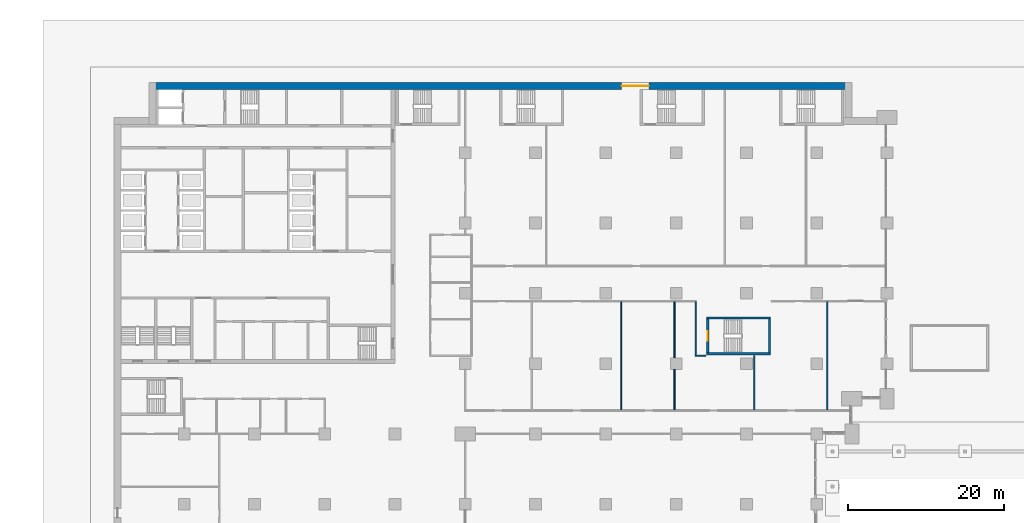
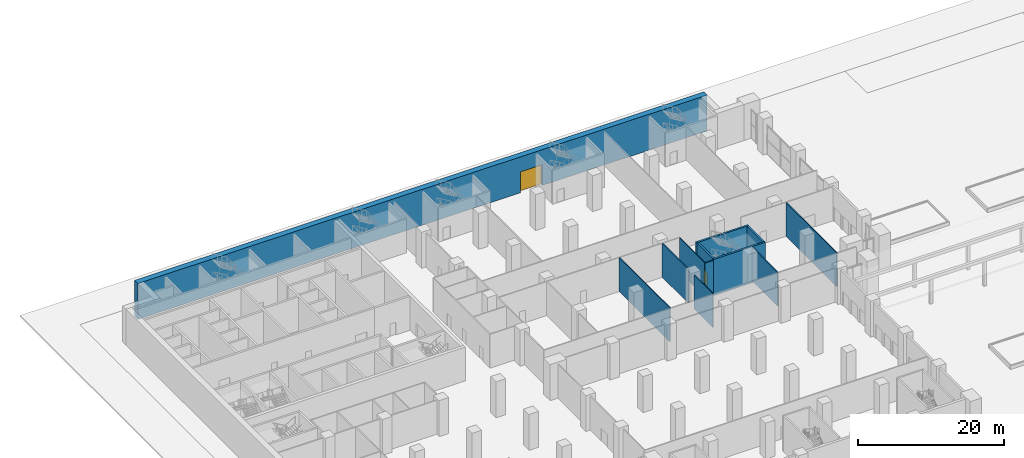
# One storey, part 21 of 47: 12 walls, 2 doors, 2 openings.
"""IFC4 building model written with IfcOpenShell, lengths in metres."""

from ifc_helpers import new_model, si_unit, direction, frame, frame_2d, origin, place, context, subcontext, project, spatial, rectangle, extrude, material, layer, layer_set, type_object, element, fill, save


model = new_model("IFC4")

# Units and contexts
model_context = context("Model", 3, precision=1e-05, world=origin(), true_north=direction((0.0, 1.0)))
body_context = subcontext(model_context, "Body", "Model", "MODEL_VIEW")
ifc_project = project(units=[si_unit("LENGTHUNIT", "METRE"), si_unit("AREAUNIT", "SQUARE_METRE"), si_unit("VOLUMEUNIT", "CUBIC_METRE"), si_unit("PLANEANGLEUNIT", "RADIAN"), si_unit("MASSUNIT", "GRAM", prefix="KILO")], contexts=[model_context])

# Site, building, storey
site_placement = place(None, origin())
site = spatial("IfcSite", under=ifc_project, at=site_placement, CompositionType="ELEMENT")
building_placement = place(site_placement, origin())
building = spatial("IfcBuilding", under=site, at=building_placement, Name="Hunhe Ridgeline Campus", CompositionType="ELEMENT")
storey_placement = place(building_placement, origin())
storey = spatial("IfcBuildingStorey", under=building, at=storey_placement, Name="L00", CompositionType="ELEMENT", Elevation=0.0)

# Walls
ifc_material_1 = material(Name="Plastered blockwork", Category="masonry")
ifc_layer_1 = layer(ifc_material_1, 0.14990234375)
ifc_layer_set_1 = layer_set([ifc_layer_1], Name="Blockwork partition 150")
wall_type_1 = type_object("IfcWallType", Name="Blockwork partition 150", PredefinedType="PARTITIONING", material=ifc_layer_set_1)
wall_1_placement = place(storey_placement, frame((74.425048828125, 64.0, 0.0), z_axis=(0.0, 0.0, 1.0), x_axis=(1.0, 0.0, 0.0)))
element("IfcWall", 1, at=wall_1_placement, inside=storey, type_object=wall_type_1, Name="L00 partition", PredefinedType="PARTITIONING", context=body_context, shape_type="SweptSolid", body=[
    extrude(rectangle(XDim=1.375, YDim=0.14990234375, at=frame_2d((0.6875, 0.0))), origin(), (0.0, 0.0, 1.0), 5.64990234375),
])
wall_2_placement = place(storey_placement, frame((64.98388671875, 57.074951171875, 0.0), z_axis=(0.0, 0.0, 1.0), x_axis=(0.0, 1.0, 0.0)))
element("IfcWall", 2, at=wall_2_placement, inside=storey, type_object=wall_type_1, Name="L00 partition", PredefinedType="PARTITIONING", context=body_context, shape_type="SweptSolid", body=[
    extrude(rectangle(XDim=13.85009765625, YDim=0.14990234375, at=frame_2d((6.925048828125, 0.0))), origin(), (0.0, 0.0, 1.0), 5.64990234375),
])
wall_3_placement = place(storey_placement, frame((71.787109375, 57.074951171875, 0.0), z_axis=(0.0, 0.0, 1.0), x_axis=(0.0, 1.0, 0.0)))
element("IfcWall", 3, at=wall_3_placement, inside=storey, type_object=wall_type_1, Name="L00 partition", PredefinedType="PARTITIONING", context=body_context, shape_type="SweptSolid", body=[
    extrude(rectangle(XDim=5.175048828125, YDim=0.14990234375, at=frame_2d((2.58740234375, 0.0))), origin(), (0.0, 0.0, 1.0), 5.64990234375),
])
wall_4_placement = place(storey_placement, frame((71.787109375, 63.75, 0.0), z_axis=(0.0, 0.0, 1.0), x_axis=(0.0, 1.0, 0.0)))
element("IfcWall", 4, at=wall_4_placement, inside=storey, type_object=wall_type_1, Name="L00 partition", PredefinedType="PARTITIONING", context=body_context, shape_type="SweptSolid", body=[
    extrude(rectangle(XDim=7.175048828125, YDim=0.14990234375, at=frame_2d((3.58740234375, 0.0))), origin(), (0.0, 0.0, 1.0), 5.64990234375),
])
wall_5_placement = place(storey_placement, frame((81.991943359375, 57.074951171875, 0.0), z_axis=(0.0, 0.0, 1.0), x_axis=(0.0, 1.0, 0.0)))
element("IfcWall", 5, at=wall_5_placement, inside=storey, type_object=wall_type_1, Name="L00 partition", PredefinedType="PARTITIONING", context=body_context, shape_type="SweptSolid", body=[
    extrude(rectangle(XDim=6.925048828125, YDim=0.14990234375, at=frame_2d((3.46240234375, 0.0))), origin(), (0.0, 0.0, 1.0), 5.64990234375),
])
wall_6_placement = place(storey_placement, frame((74.5, 70.925048828125, 0.0), z_axis=(0.0, 0.0, 1.0), x_axis=(0.0, -1.0, 0.0)))
element("IfcWall", 6, at=wall_6_placement, inside=storey, type_object=wall_type_1, Name="L00 partition", PredefinedType="PARTITIONING", context=body_context, shape_type="SweptSolid", body=[
    extrude(rectangle(XDim=6.85009765625, YDim=0.14990234375, at=frame_2d((3.425048828125, 0.0))), origin(), (0.0, 0.0, 1.0), 5.64990234375),
])
wall_7_placement = place(storey_placement, frame((91.345947265625, 57.074951171875, 0.0), z_axis=(0.0, 0.0, 1.0), x_axis=(0.0, 1.0, 0.0)))
element("IfcWall", 7, at=wall_7_placement, inside=storey, type_object=wall_type_1, Name="L00 partition", PredefinedType="PARTITIONING", context=body_context, shape_type="SweptSolid", body=[
    extrude(rectangle(XDim=13.85009765625, YDim=0.14990234375, at=frame_2d((6.925048828125, 0.0))), origin(), (0.0, 0.0, 1.0), 5.64990234375),
])

# Wall, opening, door
ifc_material_2 = material(Name="Concrete C80", Category="concrete")
ifc_layer_2 = layer(ifc_material_2, 0.89990234375)
ifc_layer_set_2 = layer_set([ifc_layer_2], Name="Spine wall 900 Concrete C80")
wall_type_2 = type_object("IfcWallType", Name="Spine wall 900 Concrete C80", PredefinedType="SHEAR", material=ifc_layer_set_2)
wall_8_placement = place(storey_placement, frame((94.5, 98.550048828125, 0.0), z_axis=(0.0, 0.0, 1.0), x_axis=(-1.0, 0.0, 0.0)))
wall_8 = element("IfcWall", 8, at=wall_8_placement, inside=storey, type_object=wall_type_2, Name="Spine wall SW1-4 L00", PredefinedType="SHEAR", context=body_context, shape_type="SweptSolid", body=[
    extrude(rectangle(XDim=90.0, YDim=0.89990234375, at=frame_2d((45.0, 0.0))), origin(), (0.0, 0.0, 1.0), 6.0),
])
opening_1_placement = place(wall_8_placement, frame((25.990478515625, 0.0, 0.0)))
opening_1 = element("IfcOpeningElement", 9, at=opening_1_placement, cuts=wall_8, Name="Opening PD172", PredefinedType="OPENING", context=body_context, shape_type="SweptSolid", body=[
    extrude(rectangle(XDim=3.5, YDim=3.5, at=frame_2d((1.75, 1.75))), frame((0.0, 0.449951171875, 0.0), z_axis=(0.0, -1.0, 0.0), x_axis=(1.0, 0.0, 0.0)), (0.0, 0.0, 1.0), 0.89990234375),
])
ifc_material_3 = material(Name="Galvanised steel", Category="steel")
door_type_1 = type_object("IfcDoorType", Name="Podium roller shutter door 3500x3500", OperationType="ROLLINGUP", PredefinedType="DOOR", material=ifc_material_3)
door_1_placement = place(opening_1_placement, origin())
door_1 = element("IfcDoor", 10, at=door_1_placement, inside=storey, type_object=door_type_1, Name="Loading bay roller shutter door", OperationType="ROLLINGUP", OverallHeight=3.5, OverallWidth=3.5, PredefinedType="DOOR", context=body_context, shape_type="SweptSolid", body=[
    extrude(rectangle(XDim=3.5, YDim=3.5, at=frame_2d((1.75, 1.75))), frame((0.0, 0.02490234375, 0.0), z_axis=(0.0, -1.0, 0.0), x_axis=(1.0, 0.0, 0.0)), (0.0, 0.0, 1.0), 0.050048828125),
])
fill(opening_1, door_1)

# Walls
ifc_layer_3 = layer(ifc_material_2, 0.300048828125)
ifc_layer_set_3 = layer_set([ifc_layer_3], Name="Stair wall 300 reinforced concrete C80")
wall_type_3 = type_object("IfcWallType", Name="Stair wall 300 reinforced concrete C80", PredefinedType="SOLIDWALL", material=ifc_layer_set_3)
for number, where, z_axis, x_axis, name in (
    (11, (75.89990234375, 64.25, -0.39990234375), (0.0, 0.0, 1.0), (1.0, 0.0, 0.0), "L00 core wall 8"),
    (12, (75.89990234375, 68.85009765625, -0.39990234375), (0.0, 0.0, 1.0), (1.0, 0.0, 0.0), "L00 core wall 11"),
):
    element("IfcWall", number, at=place(storey_placement, frame(where, z_axis=z_axis, x_axis=x_axis)), inside=storey, type_object=wall_type_3, Name=name, PredefinedType="SOLIDWALL", context=body_context, shape_type="SweptSolid", body=[
        extrude(rectangle(XDim=8.2001953125, YDim=0.300048828125, at=frame_2d((4.10009765625, 0.0))), origin(), (0.0, 0.0, 1.0), 6.0498046875),
    ])

# Wall, opening, door
wall_9_placement = place(storey_placement, frame((76.050048828125, 64.39990234375, -0.39990234375), z_axis=(0.0, 0.0, 1.0), x_axis=(0.0, 1.0, 0.0)))
wall_9 = element("IfcWall", 13, at=wall_9_placement, inside=storey, type_object=wall_type_3, Name="L00 core wall 71", PredefinedType="SOLIDWALL", context=body_context, shape_type="SweptSolid", body=[
    extrude(rectangle(XDim=4.300048828125, YDim=0.300048828125, at=frame_2d((2.14990234375, 0.0))), origin(), (0.0, 0.0, 1.0), 6.0498046875),
])
opening_2_placement = place(wall_9_placement, frame((1.550048828125, 0.0, 0.39990234375)))
opening_2 = element("IfcOpeningElement", 14, at=opening_2_placement, cuts=wall_9, Name="Opening CD24", PredefinedType="OPENING", context=body_context, shape_type="SweptSolid", body=[
    extrude(rectangle(XDim=1.199951171875, YDim=2.10009765625, at=frame_2d((0.60009765625, 1.050048828125))), frame((0.0, 0.14990234375, 0.0), z_axis=(0.0, -1.0, 0.0), x_axis=(1.0, 0.0, 0.0)), (0.0, 0.0, 1.0), 0.300048828125),
])
ifc_material_4 = material(Name="Hollow metal fire door leaf")
door_type_2 = type_object("IfcDoorType", Name="Stair door 1200x2100 FD60", OperationType="SINGLE_SWING_LEFT", PredefinedType="DOOR", material=ifc_material_4)
door_2_placement = place(opening_2_placement, origin())
door_2 = element("IfcDoor", 15, at=door_2_placement, inside=storey, type_object=door_type_2, Name="L00 door E5", OperationType="SINGLE_SWING_RIGHT", OverallHeight=2.10009765625, OverallWidth=1.199951171875, PredefinedType="DOOR", context=body_context, shape_type="SweptSolid", body=[
    extrude(rectangle(XDim=1.199951171875, YDim=2.10009765625, at=frame_2d((0.60009765625, 1.050048828125))), frame((0.0, 0.02490234375, 0.0), z_axis=(0.0, -1.0, 0.0), x_axis=(1.0, 0.0, 0.0)), (0.0, 0.0, 1.0), 0.050048828125),
])
fill(opening_2, door_2)

# Wall
wall_10_placement = place(storey_placement, frame((83.949951171875, 64.39990234375, -0.39990234375), z_axis=(0.0, 0.0, 1.0), x_axis=(0.0, 1.0, 0.0)))
element("IfcWall", 16, at=wall_10_placement, inside=storey, type_object=wall_type_3, Name="L00 core wall 72", PredefinedType="SOLIDWALL", context=body_context, shape_type="SweptSolid", body=[
    extrude(rectangle(XDim=4.300048828125, YDim=0.300048828125, at=frame_2d((2.14990234375, 0.0))), origin(), (0.0, 0.0, 1.0), 6.0498046875),
])

save(model, "model.ifc")
